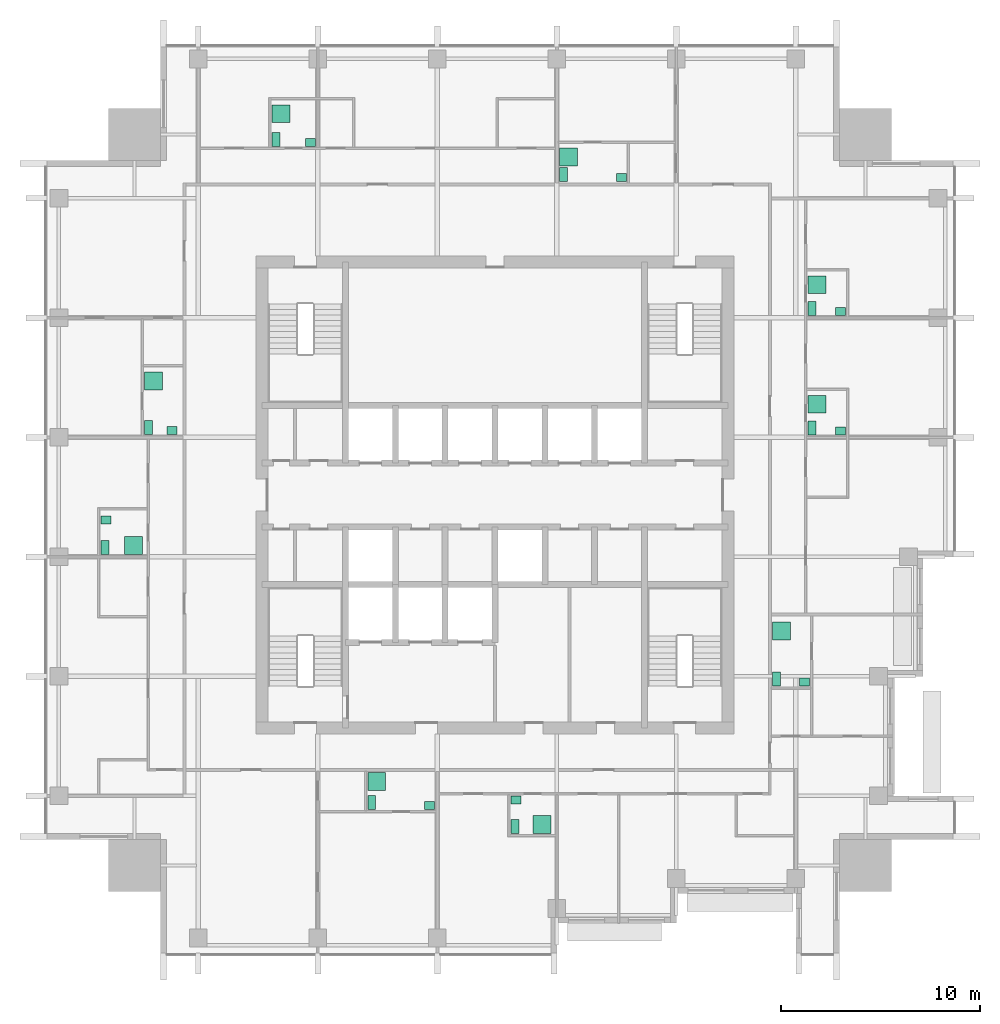
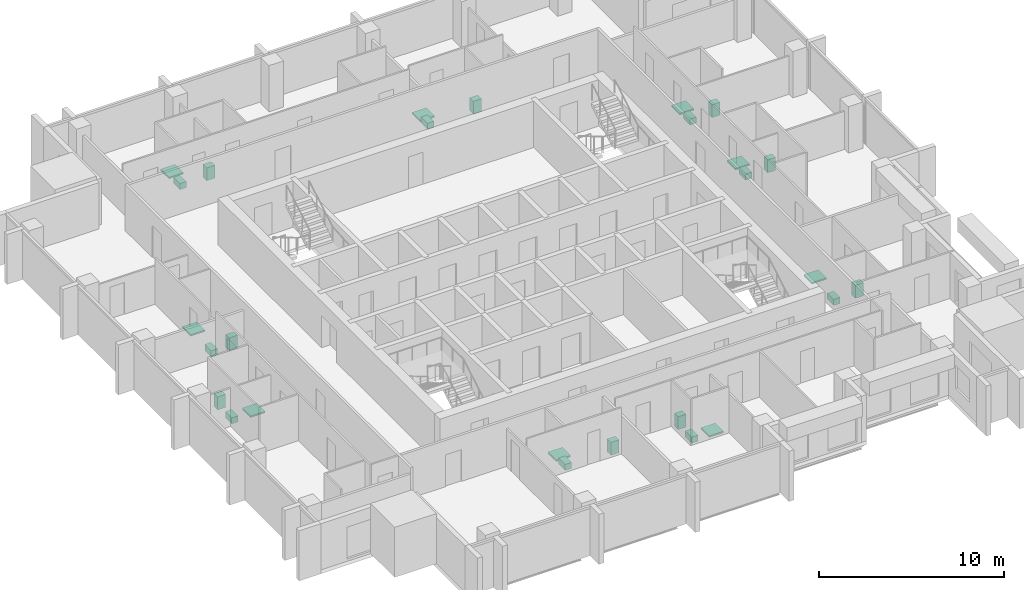
# One storey, part 10 of 10: 27 sanitary terminals.
"""IFC4 building model written with IfcOpenShell, lengths in metres."""

from ifc_helpers import new_model, si_unit, direction, frame, origin, origin_2d, place, context, subcontext, project, spatial, rectangle, extrude, element, save


model = new_model("IFC4")

# Units and contexts
model_context = context("Model", 3, precision=1e-05, world=origin(), true_north=direction((0.0, 1.0)))
body_context = subcontext(model_context, "Body", "Model", "MODEL_VIEW")
ifc_project = project(units=[si_unit("LENGTHUNIT", "METRE"), si_unit("AREAUNIT", "SQUARE_METRE"), si_unit("VOLUMEUNIT", "CUBIC_METRE"), si_unit("PLANEANGLEUNIT", "RADIAN"), si_unit("MASSUNIT", "GRAM", prefix="KILO")], contexts=[model_context])

# Site, building, storey
site_placement = place(None, origin())
site = spatial("IfcSite", under=ifc_project, at=site_placement, CompositionType="ELEMENT")
building_placement = place(site_placement, origin())
building = spatial("IfcBuilding", under=site, at=building_placement, Name="Amberfall Residences", CompositionType="ELEMENT")
storey_placement = place(building_placement, frame((0.0, 0.0, 193.60009765625)))
storey = spatial("IfcBuildingStorey", under=building, at=storey_placement, Name="L51", CompositionType="ELEMENT", Elevation=193.60009765625)

# Sanitary terminals
sanitary_terminal_1_placement = place(storey_placement, frame((68.31005859375, 30.06005859375, 0.0), z_axis=(0.0, 0.0, 1.0), x_axis=(1.0, 0.0, 0.0)))
element("IfcSanitaryTerminal", 1, at=sanitary_terminal_1_placement, inside=storey, Name="Water closet 5101", PredefinedType="TOILETPAN", context=body_context, shape_type="SweptSolid", body=[
    extrude(rectangle(XDim=0.39990234375, YDim=0.699951171875, at=origin_2d()), origin(), (0.0, 0.0, 1.0), 0.39990234375),
])
sanitary_terminal_2_placement = place(storey_placement, frame((71.215087890625, 29.909912109375, -0.000244140625), z_axis=(0.0, 0.0, 1.0), x_axis=(1.0, 0.0, 0.0)))
element("IfcSanitaryTerminal", 2, at=sanitary_terminal_2_placement, inside=storey, Name="Basin 5101", PredefinedType="WASHHANDBASIN", context=body_context, shape_type="SweptSolid", body=[
    extrude(rectangle(XDim=0.5, YDim=0.39990234375, at=origin_2d()), origin(), (0.0, 0.0, 1.0), 0.85009765625),
])
sanitary_terminal_3_placement = place(storey_placement, frame((68.56005859375, 31.114990234375, -0.000244140625), z_axis=(0.0, 0.0, 1.0), x_axis=(1.0, 0.0, 0.0)))
element("IfcSanitaryTerminal", 3, at=sanitary_terminal_3_placement, inside=storey, Name="Shower tray 5101", PredefinedType="SHOWER", context=body_context, shape_type="SweptSolid", body=[
    extrude(rectangle(XDim=0.89990234375, YDim=0.89990234375, at=origin_2d()), origin(), (0.0, 0.0, 1.0), 0.10009765625),
])
sanitary_terminal_4_placement = place(storey_placement, frame((75.510009765625, 28.860107421875, 0.0), z_axis=(0.0, 0.0, 1.0), x_axis=(1.0, 0.0, 0.0)))
element("IfcSanitaryTerminal", 4, at=sanitary_terminal_4_placement, inside=storey, Name="Water closet 5102", PredefinedType="TOILETPAN", context=body_context, shape_type="SweptSolid", body=[
    extrude(rectangle(XDim=0.39990234375, YDim=0.699951171875, at=origin_2d()), origin(), (0.0, 0.0, 1.0), 0.39990234375),
])
sanitary_terminal_5_placement = place(storey_placement, frame((75.56005859375, 30.18994140625, -0.000244140625), z_axis=(0.0, 0.0, 1.0), x_axis=(1.0, 0.0, 0.0)))
element("IfcSanitaryTerminal", 5, at=sanitary_terminal_5_placement, inside=storey, Name="Basin 5102", PredefinedType="WASHHANDBASIN", context=body_context, shape_type="SweptSolid", body=[
    extrude(rectangle(XDim=0.5, YDim=0.39990234375, at=origin_2d()), origin(), (0.0, 0.0, 1.0), 0.85009765625),
])
sanitary_terminal_6_placement = place(storey_placement, frame((76.857177734375, 28.9599609375, -0.000244140625), z_axis=(0.0, 0.0, 1.0), x_axis=(1.0, 0.0, 0.0)))
element("IfcSanitaryTerminal", 6, at=sanitary_terminal_6_placement, inside=storey, Name="Shower tray 5102", PredefinedType="SHOWER", context=body_context, shape_type="SweptSolid", body=[
    extrude(rectangle(XDim=0.89990234375, YDim=0.89990234375, at=origin_2d()), origin(), (0.0, 0.0, 1.0), 0.10009765625),
])
sanitary_terminal_7_placement = place(storey_placement, frame((88.635009765625, 36.260009765625, 0.0), z_axis=(0.0, 0.0, 1.0), x_axis=(1.0, 0.0, 0.0)))
element("IfcSanitaryTerminal", 7, at=sanitary_terminal_7_placement, inside=storey, Name="Water closet 5103", PredefinedType="TOILETPAN", context=body_context, shape_type="SweptSolid", body=[
    extrude(rectangle(XDim=0.39990234375, YDim=0.699951171875, at=origin_2d()), origin(), (0.0, 0.0, 1.0), 0.39990234375),
])
sanitary_terminal_8_placement = place(storey_placement, frame((90.0400390625, 36.110107421875, -0.000244140625), z_axis=(0.0, 0.0, 1.0), x_axis=(1.0, 0.0, 0.0)))
element("IfcSanitaryTerminal", 8, at=sanitary_terminal_8_placement, inside=storey, Name="Basin 5103", PredefinedType="WASHHANDBASIN", context=body_context, shape_type="SweptSolid", body=[
    extrude(rectangle(XDim=0.5, YDim=0.39990234375, at=origin_2d()), origin(), (0.0, 0.0, 1.0), 0.85009765625),
])
sanitary_terminal_9_placement = place(storey_placement, frame((88.885009765625, 38.6826171875, -0.000244140625), z_axis=(0.0, 0.0, 1.0), x_axis=(1.0, 0.0, 0.0)))
element("IfcSanitaryTerminal", 9, at=sanitary_terminal_9_placement, inside=storey, Name="Shower tray 5103", PredefinedType="SHOWER", context=body_context, shape_type="SweptSolid", body=[
    extrude(rectangle(XDim=0.89990234375, YDim=0.89990234375, at=origin_2d()), origin(), (0.0, 0.0, 1.0), 0.10009765625),
])
sanitary_terminal_10_placement = place(storey_placement, frame((90.409912109375, 48.860107421875, 0.0), z_axis=(0.0, 0.0, 1.0), x_axis=(1.0, 0.0, 0.0)))
element("IfcSanitaryTerminal", 10, at=sanitary_terminal_10_placement, inside=storey, Name="Water closet 5104", PredefinedType="TOILETPAN", context=body_context, shape_type="SweptSolid", body=[
    extrude(rectangle(XDim=0.39990234375, YDim=0.699951171875, at=origin_2d()), origin(), (0.0, 0.0, 1.0), 0.39990234375),
])
sanitary_terminal_11_placement = place(storey_placement, frame((91.840087890625, 48.7099609375, -0.000244140625), z_axis=(0.0, 0.0, 1.0), x_axis=(1.0, 0.0, 0.0)))
element("IfcSanitaryTerminal", 11, at=sanitary_terminal_11_placement, inside=storey, Name="Basin 5104", PredefinedType="WASHHANDBASIN", context=body_context, shape_type="SweptSolid", body=[
    extrude(rectangle(XDim=0.5, YDim=0.39990234375, at=origin_2d()), origin(), (0.0, 0.0, 1.0), 0.85009765625),
])
sanitary_terminal_12_placement = place(storey_placement, frame((90.659912109375, 50.05712890625, -0.000244140625), z_axis=(0.0, 0.0, 1.0), x_axis=(1.0, 0.0, 0.0)))
element("IfcSanitaryTerminal", 12, at=sanitary_terminal_12_placement, inside=storey, Name="Shower tray 5104", PredefinedType="SHOWER", context=body_context, shape_type="SweptSolid", body=[
    extrude(rectangle(XDim=0.89990234375, YDim=0.89990234375, at=origin_2d()), origin(), (0.0, 0.0, 1.0), 0.10009765625),
])
sanitary_terminal_13_placement = place(storey_placement, frame((90.409912109375, 54.860107421875, 0.0), z_axis=(0.0, 0.0, 1.0), x_axis=(1.0, 0.0, 0.0)))
element("IfcSanitaryTerminal", 13, at=sanitary_terminal_13_placement, inside=storey, Name="Water closet 5104", PredefinedType="TOILETPAN", context=body_context, shape_type="SweptSolid", body=[
    extrude(rectangle(XDim=0.39990234375, YDim=0.699951171875, at=origin_2d()), origin(), (0.0, 0.0, 1.0), 0.39990234375),
])
sanitary_terminal_14_placement = place(storey_placement, frame((91.840087890625, 54.7099609375, -0.000244140625), z_axis=(0.0, 0.0, 1.0), x_axis=(1.0, 0.0, 0.0)))
element("IfcSanitaryTerminal", 14, at=sanitary_terminal_14_placement, inside=storey, Name="Basin 5104", PredefinedType="WASHHANDBASIN", context=body_context, shape_type="SweptSolid", body=[
    extrude(rectangle(XDim=0.5, YDim=0.39990234375, at=origin_2d()), origin(), (0.0, 0.0, 1.0), 0.85009765625),
])
sanitary_terminal_15_placement = place(storey_placement, frame((90.659912109375, 56.05712890625, -0.000244140625), z_axis=(0.0, 0.0, 1.0), x_axis=(1.0, 0.0, 0.0)))
element("IfcSanitaryTerminal", 15, at=sanitary_terminal_15_placement, inside=storey, Name="Shower tray 5104", PredefinedType="SHOWER", context=body_context, shape_type="SweptSolid", body=[
    extrude(rectangle(XDim=0.89990234375, YDim=0.89990234375, at=origin_2d()), origin(), (0.0, 0.0, 1.0), 0.10009765625),
])
sanitary_terminal_16_placement = place(storey_placement, frame((63.510009765625, 63.360107421875, 0.0), z_axis=(0.0, 0.0, 1.0), x_axis=(1.0, 0.0, 0.0)))
element("IfcSanitaryTerminal", 16, at=sanitary_terminal_16_placement, inside=storey, Name="Water closet 5105", PredefinedType="TOILETPAN", context=body_context, shape_type="SweptSolid", body=[
    extrude(rectangle(XDim=0.39990234375, YDim=0.699951171875, at=origin_2d()), origin(), (0.0, 0.0, 1.0), 0.39990234375),
])
sanitary_terminal_17_placement = place(storey_placement, frame((65.239990234375, 63.2099609375, -0.000244140625), z_axis=(0.0, 0.0, 1.0), x_axis=(1.0, 0.0, 0.0)))
element("IfcSanitaryTerminal", 17, at=sanitary_terminal_17_placement, inside=storey, Name="Basin 5105", PredefinedType="WASHHANDBASIN", context=body_context, shape_type="SweptSolid", body=[
    extrude(rectangle(XDim=0.5, YDim=0.39990234375, at=origin_2d()), origin(), (0.0, 0.0, 1.0), 0.85009765625),
])
sanitary_terminal_18_placement = place(storey_placement, frame((63.760009765625, 64.642822265625, -0.000244140625), z_axis=(0.0, 0.0, 1.0), x_axis=(1.0, 0.0, 0.0)))
element("IfcSanitaryTerminal", 18, at=sanitary_terminal_18_placement, inside=storey, Name="Shower tray 5105", PredefinedType="SHOWER", context=body_context, shape_type="SweptSolid", body=[
    extrude(rectangle(XDim=0.89990234375, YDim=0.89990234375, at=origin_2d()), origin(), (0.0, 0.0, 1.0), 0.10009765625),
])
sanitary_terminal_19_placement = place(storey_placement, frame((77.93505859375, 61.5849609375, 0.0), z_axis=(0.0, 0.0, 1.0), x_axis=(1.0, 0.0, 0.0)))
element("IfcSanitaryTerminal", 19, at=sanitary_terminal_19_placement, inside=storey, Name="Water closet 5106", PredefinedType="TOILETPAN", context=body_context, shape_type="SweptSolid", body=[
    extrude(rectangle(XDim=0.39990234375, YDim=0.699951171875, at=origin_2d()), origin(), (0.0, 0.0, 1.0), 0.39990234375),
])
sanitary_terminal_20_placement = place(storey_placement, frame((80.840087890625, 61.43505859375, -0.000244140625), z_axis=(0.0, 0.0, 1.0), x_axis=(1.0, 0.0, 0.0)))
element("IfcSanitaryTerminal", 20, at=sanitary_terminal_20_placement, inside=storey, Name="Basin 5106", PredefinedType="WASHHANDBASIN", context=body_context, shape_type="SweptSolid", body=[
    extrude(rectangle(XDim=0.5, YDim=0.39990234375, at=origin_2d()), origin(), (0.0, 0.0, 1.0), 0.85009765625),
])
sanitary_terminal_21_placement = place(storey_placement, frame((78.18505859375, 62.480712890625, -0.000244140625), z_axis=(0.0, 0.0, 1.0), x_axis=(1.0, 0.0, 0.0)))
element("IfcSanitaryTerminal", 21, at=sanitary_terminal_21_placement, inside=storey, Name="Shower tray 5106", PredefinedType="SHOWER", context=body_context, shape_type="SweptSolid", body=[
    extrude(rectangle(XDim=0.89990234375, YDim=0.89990234375, at=origin_2d()), origin(), (0.0, 0.0, 1.0), 0.10009765625),
])
sanitary_terminal_22_placement = place(storey_placement, frame((54.909912109375, 42.860107421875, 0.0), z_axis=(0.0, 0.0, 1.0), x_axis=(1.0, 0.0, 0.0)))
element("IfcSanitaryTerminal", 22, at=sanitary_terminal_22_placement, inside=storey, Name="Water closet 5107", PredefinedType="TOILETPAN", context=body_context, shape_type="SweptSolid", body=[
    extrude(rectangle(XDim=0.39990234375, YDim=0.699951171875, at=origin_2d()), origin(), (0.0, 0.0, 1.0), 0.39990234375),
])
sanitary_terminal_23_placement = place(storey_placement, frame((54.9599609375, 44.235595703125, -0.000244140625), z_axis=(0.0, 0.0, 1.0), x_axis=(1.0, 0.0, 0.0)))
element("IfcSanitaryTerminal", 23, at=sanitary_terminal_23_placement, inside=storey, Name="Basin 5107", PredefinedType="WASHHANDBASIN", context=body_context, shape_type="SweptSolid", body=[
    extrude(rectangle(XDim=0.5, YDim=0.39990234375, at=origin_2d()), origin(), (0.0, 0.0, 1.0), 0.85009765625),
])
sanitary_terminal_24_placement = place(storey_placement, frame((56.3427734375, 42.9599609375, -0.000244140625), z_axis=(0.0, 0.0, 1.0), x_axis=(1.0, 0.0, 0.0)))
element("IfcSanitaryTerminal", 24, at=sanitary_terminal_24_placement, inside=storey, Name="Shower tray 5107", PredefinedType="SHOWER", context=body_context, shape_type="SweptSolid", body=[
    extrude(rectangle(XDim=0.89990234375, YDim=0.89990234375, at=origin_2d()), origin(), (0.0, 0.0, 1.0), 0.10009765625),
])
sanitary_terminal_25_placement = place(storey_placement, frame((57.110107421875, 48.885009765625, 0.0), z_axis=(0.0, 0.0, 1.0), x_axis=(1.0, 0.0, 0.0)))
element("IfcSanitaryTerminal", 25, at=sanitary_terminal_25_placement, inside=storey, Name="Water closet 5108", PredefinedType="TOILETPAN", context=body_context, shape_type="SweptSolid", body=[
    extrude(rectangle(XDim=0.39990234375, YDim=0.699951171875, at=origin_2d()), origin(), (0.0, 0.0, 1.0), 0.39990234375),
])
sanitary_terminal_26_placement = place(storey_placement, frame((58.2890625, 48.735107421875, -0.000244140625), z_axis=(0.0, 0.0, 1.0), x_axis=(1.0, 0.0, 0.0)))
element("IfcSanitaryTerminal", 26, at=sanitary_terminal_26_placement, inside=storey, Name="Basin 5108", PredefinedType="WASHHANDBASIN", context=body_context, shape_type="SweptSolid", body=[
    extrude(rectangle(XDim=0.5, YDim=0.39990234375, at=origin_2d()), origin(), (0.0, 0.0, 1.0), 0.85009765625),
])
sanitary_terminal_27_placement = place(storey_placement, frame((57.360107421875, 51.216796875, -0.000244140625), z_axis=(0.0, 0.0, 1.0), x_axis=(1.0, 0.0, 0.0)))
element("IfcSanitaryTerminal", 27, at=sanitary_terminal_27_placement, inside=storey, Name="Shower tray 5108", PredefinedType="SHOWER", context=body_context, shape_type="SweptSolid", body=[
    extrude(rectangle(XDim=0.89990234375, YDim=0.89990234375, at=origin_2d()), origin(), (0.0, 0.0, 1.0), 0.10009765625),
])

save(model, "model.ifc")
